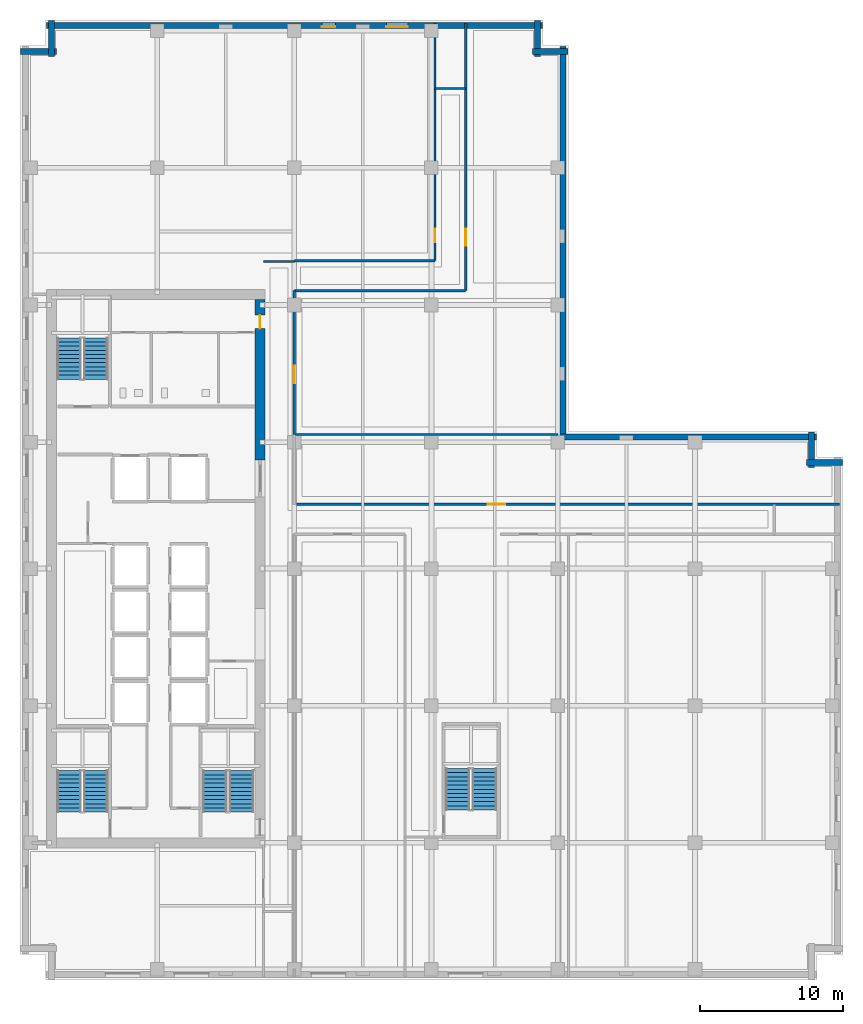
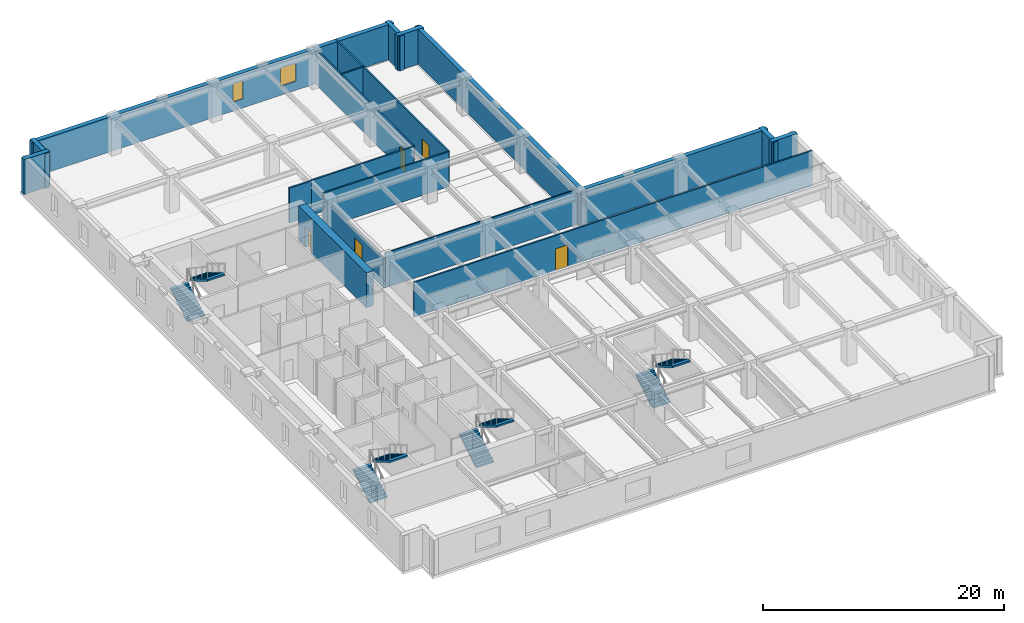
# One storey, part 7 of 14: 19 walls, 8 stair flights, 5 doors, 2 windows, 7 openings, 4 elements without a shape of their own.
"""IFC4 building model written with IfcOpenShell, lengths in metres."""

from ifc_helpers import new_model, si_unit, direction, frame, frame_2d, origin, place, context, subcontext, project, spatial, polyline, rectangle, outline, extrude, material, layer, layer_set, type_object, element, fill, aggregate, save


model = new_model("IFC4")

# Units and contexts
model_context = context("Model", 3, precision=1e-05, world=origin(), true_north=direction((0.0, 1.0)))
body_context = subcontext(model_context, "Body", "Model", "MODEL_VIEW")
ifc_project = project(units=[si_unit("LENGTHUNIT", "METRE"), si_unit("AREAUNIT", "SQUARE_METRE"), si_unit("VOLUMEUNIT", "CUBIC_METRE"), si_unit("PLANEANGLEUNIT", "RADIAN"), si_unit("MASSUNIT", "GRAM", prefix="KILO")], contexts=[model_context])

# Site, building, storey
site_placement = place(None, origin())
site = spatial("IfcSite", under=ifc_project, at=site_placement, CompositionType="ELEMENT")
building_placement = place(site_placement, origin())
building = spatial("IfcBuilding", under=site, at=building_placement, Name="Norrvale University Quadrangle", CompositionType="ELEMENT")
storey_placement = place(building_placement, frame((0.0, 0.0, 156.0)))
storey = spatial("IfcBuildingStorey", under=building, at=storey_placement, Name="L39", CompositionType="ELEMENT", Elevation=156.0)

# Walls
ifc_material_1 = material(Name="Buff Norman Clay Brick Masonry", Category="masonry")
ifc_layer_1 = layer(ifc_material_1, 0.419921875, Name="Buff Norman Clay Brick Masonry")
ifc_layer_set_1 = layer_set([ifc_layer_1], Name="Buff Norman Clay Brick Masonry")
wall_type_1 = type_object("IfcWallType", Name="Wall Buff Brick 420", PredefinedType="SOLIDWALL", material=ifc_layer_set_1)
for number, where, z_axis, x_axis, name in (
    (1, (57.56005859375, 36.2099609375, 0.0), (0.0, 0.0, 1.0), (-1.0, 0.0, 0.0), "Exterior Brick Facade Wall L39-05.1"),
    (2, (55.409912109375, 35.860107421875, 0.0), (0.0, 0.0, 1.0), (0.0, 1.0, 0.0), "Exterior Brick Facade Wall L39-06.1"),
):
    element("IfcWall", number, at=place(storey_placement, frame(where, z_axis=z_axis, x_axis=x_axis)), inside=storey, type_object=wall_type_1, Name=name, PredefinedType="SOLIDWALL", context=body_context, shape_type="SweptSolid", body=[
        extrude(rectangle(XDim=2.5, YDim=0.419921875, at=frame_2d((1.25, 0.0))), origin(), (0.0, 0.0, 1.0), 3.5400390625),
    ])
wall_1_placement = place(storey_placement, frame((55.760009765625, 38.010009765625, 0.0), z_axis=(0.0, 0.0, 1.0), x_axis=(-1.0, 0.0, 0.0)))
element("IfcWall", 3, at=wall_1_placement, inside=storey, type_object=wall_type_1, Name="Exterior Brick Facade Wall L39-07.1", PredefinedType="SOLIDWALL", context=body_context, shape_type="SweptSolid", body=[
    extrude(rectangle(XDim=18.10009765625, YDim=0.419921875, at=frame_2d((9.050048828125, 0.0))), origin(), (0.0, 0.0, 1.0), 3.5400390625),
])
wall_2_placement = place(storey_placement, frame((38.010009765625, 37.659912109375, 0.0), z_axis=(0.0, 0.0, 1.0), x_axis=(0.0, 1.0, 0.0)))
element("IfcWall", 4, at=wall_2_placement, inside=storey, type_object=wall_type_1, Name="Exterior Brick Facade Wall L39-08.1", PredefinedType="SOLIDWALL", context=body_context, shape_type="SweptSolid", body=[
    extrude(rectangle(XDim=27.7001953125, YDim=0.419921875, at=frame_2d((13.85009765625, 0.0))), origin(), (0.0, 0.0, 1.0), 3.5400390625),
])
for number, where, z_axis, x_axis, name in (
    (5, (38.360107421875, 65.010009765625, 0.0), (0.0, 0.0, 1.0), (-1.0, 0.0, 0.0), "Exterior Brick Facade Wall L39-09.1"),
    (6, (36.2099609375, 64.659912109375, 0.0), (0.0, 0.0, 1.0), (0.0, 1.0, 0.0), "Exterior Brick Facade Wall L39-10.1"),
):
    element("IfcWall", number, at=place(storey_placement, frame(where, z_axis=z_axis, x_axis=x_axis)), inside=storey, type_object=wall_type_1, Name=name, PredefinedType="SOLIDWALL", context=body_context, shape_type="SweptSolid", body=[
        extrude(rectangle(XDim=2.5, YDim=0.419921875, at=frame_2d((1.25, 0.0))), origin(), (0.0, 0.0, 1.0), 3.5400390625),
    ])

# Wall, openings, windows
wall_3_placement = place(storey_placement, frame((36.56005859375, 66.81005859375, 0.0), z_axis=(0.0, 0.0, 1.0), x_axis=(-1.0, 0.0, 0.0)))
wall_3 = element("IfcWall", 7, at=wall_3_placement, inside=storey, type_object=wall_type_1, Name="Exterior Brick Facade Wall L39-11.1", PredefinedType="SOLIDWALL", context=body_context, shape_type="SweptSolid", body=[
    extrude(rectangle(XDim=34.719970703125, YDim=0.419921875, at=frame_2d((17.35986328125, 0.0))), origin(), (0.0, 0.0, 1.0), 3.5400390625),
])
opening_1_placement = place(wall_3_placement, frame((9.409912109375, 0.0, 0.89990234375)))
opening_1 = element("IfcOpeningElement", 8, at=opening_1_placement, cuts=wall_3, Name="Opening W03", PredefinedType="OPENING", context=body_context, shape_type="SweptSolid", body=[
    extrude(rectangle(XDim=1.5, YDim=1.85009765625, at=frame_2d((0.75, 0.925048828125))), frame((0.0, 0.221923828125, 0.0), z_axis=(0.0, -1.0, 0.0), x_axis=(1.0, 0.0, 0.0)), (0.0, 0.0, 1.0), 0.44384765625),
])
opening_2_placement = place(wall_3_placement, frame((14.485107421875, 0.0, 0.89990234375)))
opening_2 = element("IfcOpeningElement", 9, at=opening_2_placement, cuts=wall_3, Name="Opening W04", PredefinedType="OPENING", context=body_context, shape_type="SweptSolid", body=[
    extrude(rectangle(XDim=0.949951171875, YDim=1.85009765625, at=frame_2d((0.47509765625, 0.925048828125))), frame((0.0, 0.221923828125, 0.0), z_axis=(0.0, -1.0, 0.0), x_axis=(1.0, 0.0, 0.0)), (0.0, 0.0, 1.0), 0.44384765625),
])
ifc_material_2 = material(Name="Triple Low-E Argon Glazing", Category="glass")
window_type_1 = type_object("IfcWindowType", Name="Window Narrow Pier 950x2300", PartitioningType="SINGLE_PANEL", PredefinedType="WINDOW", material=ifc_material_2)
window_1_placement = place(opening_2_placement, origin())
window_1 = element("IfcWindow", 10, at=window_1_placement, inside=storey, type_object=window_type_1, Name="Window Narrow Pier 950x2300 WIN-L39-E11-1-02", OverallHeight=1.85009765625, OverallWidth=0.949951171875, PartitioningType="SINGLE_PANEL", PredefinedType="WINDOW", context=body_context, shape_type="SweptSolid", body=[
    extrude(rectangle(XDim=0.949951171875, YDim=1.85009765625, at=frame_2d((0.47509765625, 0.925048828125))), frame((0.0, 0.110107421875, 0.0), z_axis=(0.0, -1.0, 0.0), x_axis=(1.0, 0.0, 0.0)), (0.0, 0.0, 1.0), 0.06005859375),
])
fill(opening_2, window_1)
window_type_2 = type_object("IfcWindowType", Name="Window Studio 1500x2300", PartitioningType="DOUBLE_PANEL_VERTICAL", PredefinedType="WINDOW", material=ifc_material_2)
window_2_placement = place(opening_1_placement, origin())
window_2 = element("IfcWindow", 11, at=window_2_placement, inside=storey, type_object=window_type_2, Name="Window Studio 1500x2300 WIN-L39-E11-1-01", OverallHeight=1.85009765625, OverallWidth=1.5, PartitioningType="DOUBLE_PANEL_VERTICAL", PredefinedType="WINDOW", context=body_context, shape_type="SweptSolid", body=[
    extrude(rectangle(XDim=1.5, YDim=1.85009765625, at=frame_2d((0.75, 0.925048828125))), frame((0.0, 0.110107421875, 0.0), z_axis=(0.0, -1.0, 0.0), x_axis=(1.0, 0.0, 0.0)), (0.0, 0.0, 1.0), 0.06005859375),
])
fill(opening_1, window_2)

# Walls
for number, where, z_axis, x_axis, name in (
    (12, (2.18994140625, 67.159912109375, 0.0), (0.0, 0.0, 1.0), (0.0, -1.0, 0.0), "Exterior Brick Facade Wall L39-12.1"),
    (13, (2.5400390625, 65.010009765625, 0.0), (0.0, 0.0, 1.0), (-1.0, 0.0, 0.0), "Exterior Brick Facade Wall L39-13.1"),
):
    element("IfcWall", number, at=place(storey_placement, frame(where, z_axis=z_axis, x_axis=x_axis)), inside=storey, type_object=wall_type_1, Name=name, PredefinedType="SOLIDWALL", context=body_context, shape_type="SweptSolid", body=[
        extrude(rectangle(XDim=2.5, YDim=0.419921875, at=frame_2d((1.25, 0.0))), origin(), (0.0, 0.0, 1.0), 3.5400390625),
    ])

# Wall, opening, door
ifc_material_3 = material(Name="Concrete C60/75", Category="concrete")
ifc_layer_2 = layer(ifc_material_3, 0.699951171875, Name="Concrete C60/75")
ifc_layer_set_2 = layer_set([ifc_layer_2], Name="Concrete C60/75")
wall_type_2 = type_object("IfcWallType", Name="Wall Core 700", PredefinedType="SHEAR", material=ifc_layer_set_2)
wall_4_placement = place(storey_placement, frame((16.800048828125, 36.39990234375, 0.0), z_axis=(0.0, 0.0, 1.0), x_axis=(0.0, 1.0, 0.0)))
wall_4 = element("IfcWall", 14, at=wall_4_placement, inside=storey, type_object=wall_type_2, Name="Tower Core Shear Wall L39-E3", PredefinedType="SHEAR", context=body_context, shape_type="SweptSolid", body=[
    extrude(rectangle(XDim=11.25, YDim=0.699951171875, at=frame_2d((5.625, 0.0))), origin(), (0.0, 0.0, 1.0), 3.5400390625),
])
opening_3_placement = place(wall_4_placement, frame((9.199951171875, 0.0, 0.0)))
opening_3 = element("IfcOpeningElement", 15, at=opening_3_placement, cuts=wall_4, Name="Opening D07", PredefinedType="OPENING", context=body_context, shape_type="SweptSolid", body=[
    extrude(rectangle(XDim=0.949951171875, YDim=2.14990234375, at=frame_2d((0.47509765625, 1.074951171875))), frame((0.0, 0.362060546875, 0.0), z_axis=(0.0, -1.0, 0.0), x_axis=(1.0, 0.0, 0.0)), (0.0, 0.0, 1.0), 0.723876953125),
])
ifc_material_4 = material(Name="Solid-Core Maple Door", Category="wood")
door_type_1 = type_object("IfcDoorType", Name="Door Office 950x2150", OperationType="NOTDEFINED", PredefinedType="DOOR", material=ifc_material_4)
door_1_placement = place(opening_3_placement, origin())
door_1 = element("IfcDoor", 16, at=door_1_placement, inside=storey, type_object=door_type_1, Name="Door Office 950x2150 DR-L39-NECORR", OperationType="SINGLE_SWING_RIGHT", OverallHeight=2.14990234375, OverallWidth=0.949951171875, PredefinedType="DOOR", context=body_context, shape_type="SweptSolid", body=[
    extrude(rectangle(XDim=0.949951171875, YDim=2.14990234375, at=frame_2d((0.47509765625, 1.074951171875))), frame((0.0, 0.02490234375, 0.0), z_axis=(0.0, -1.0, 0.0), x_axis=(1.0, 0.0, 0.0)), (0.0, 0.0, 1.0), 0.050048828125),
])
fill(opening_3, door_1)

# Walls
ifc_material_5 = material(Name="Standard Academic Gypsum Partition")
ifc_layer_3 = layer(ifc_material_5, 0.125, Name="Standard Academic Gypsum Partition")
ifc_layer_set_3 = layer_set([ifc_layer_3], Name="Standard Academic Gypsum Partition")
wall_type_3 = type_object("IfcWallType", Name="Wall Gypsum Academic 125", PredefinedType="PARTITIONING", material=ifc_layer_set_3)
wall_5_placement = place(storey_placement, frame((19.280029296875, 38.179931640625, 0.0), z_axis=(0.0, 0.0, 1.0), x_axis=(1.0, 0.0, 0.0)))
element("IfcWall", 17, at=wall_5_placement, inside=storey, type_object=wall_type_3, Name="Interior Partition WL-L39-ME-N", PredefinedType="PARTITIONING", context=body_context, shape_type="SweptSolid", body=[
    extrude(rectangle(XDim=18.369873046875, YDim=0.125, at=frame_2d((9.18505859375, 0.0))), origin(), (0.0, 0.0, 1.0), 3.5400390625),
])
ifc_material_6 = material(Name="Fire-Rated Gypsum Stud Partition")
ifc_layer_4 = layer(ifc_material_6, 0.14990234375, Name="Fire-Rated Gypsum Stud Partition")
ifc_layer_set_4 = layer_set([ifc_layer_4], Name="Fire-Rated Gypsum Stud Partition")
wall_type_4 = type_object("IfcWallType", Name="Wall Gypsum Corridor 150", PredefinedType="PARTITIONING", material=ifc_layer_set_4)
wall_6_placement = place(storey_placement, frame((17.050048828125, 50.300048828125, 0.0), z_axis=(0.0, 0.0, 1.0), x_axis=(1.0, 0.0, 0.0)))
element("IfcWall", 18, at=wall_6_placement, inside=storey, type_object=wall_type_4, Name="Interior Partition WL-L39-CSP-N", PredefinedType="PARTITIONING", context=body_context, shape_type="SweptSolid", body=[
    extrude(rectangle(XDim=2.14990234375, YDim=0.14990234375, at=frame_2d((1.074951171875, 0.0))), origin(), (0.0, 0.0, 1.0), 3.5400390625),
])

# Wall, opening, door
wall_7_placement = place(storey_placement, frame((19.199951171875, 33.300048828125, 0.0), z_axis=(0.0, 0.0, 1.0), x_axis=(1.0, 0.0, 0.0)))
wall_7 = element("IfcWall", 19, at=wall_7_placement, inside=storey, type_object=wall_type_4, Name="Interior Partition WL-L39-MECW", PredefinedType="PARTITIONING", context=body_context, shape_type="SweptSolid", body=[
    extrude(rectangle(XDim=38.179931640625, YDim=0.14990234375, at=frame_2d((19.08984375, 0.0))), origin(), (0.0, 0.0, 1.0), 3.5400390625),
])
opening_4_placement = place(wall_7_placement, frame((13.550048828125, 0.0, 0.0)))
opening_4 = element("IfcOpeningElement", 20, at=opening_4_placement, cuts=wall_7, Name="Opening D05", PredefinedType="OPENING", context=body_context, shape_type="SweptSolid", body=[
    extrude(rectangle(XDim=1.199951171875, YDim=2.199951171875, at=frame_2d((0.60009765625, 1.10009765625))), frame((0.0, 0.0869140625, 0.0), z_axis=(0.0, -1.0, 0.0), x_axis=(1.0, 0.0, 0.0)), (0.0, 0.0, 1.0), 0.173828125),
])
ifc_material_7 = material(Name="Acoustic Oak Classroom Door", Category="wood")
door_type_2 = type_object("IfcDoorType", Name="Door Classroom 1200x2200", OperationType="NOTDEFINED", PredefinedType="DOOR", material=ifc_material_7)
door_2_placement = place(opening_4_placement, origin())
door_2 = element("IfcDoor", 21, at=door_2_placement, inside=storey, type_object=door_type_2, Name="Door Classroom 1200x2200 DR-L39-ME01", OperationType="SINGLE_SWING_LEFT", OverallHeight=2.199951171875, OverallWidth=1.199951171875, PredefinedType="DOOR", context=body_context, shape_type="SweptSolid", body=[
    extrude(rectangle(XDim=1.199951171875, YDim=2.199951171875, at=frame_2d((0.60009765625, 1.10009765625))), frame((0.0, 0.02490234375, 0.0), z_axis=(0.0, -1.0, 0.0), x_axis=(1.0, 0.0, 0.0)), (0.0, 0.0, 1.0), 0.050048828125),
])
fill(opening_4, door_2)

wall_8_placement = place(storey_placement, frame((19.199951171875, 38.179931640625, 0.0), z_axis=(0.0, 0.0, 1.0), x_axis=(0.0, 1.0, 0.0)))
wall_8 = element("IfcWall", 22, at=wall_8_placement, inside=storey, type_object=wall_type_4, Name="Interior Partition WL-L39-MNECW", PredefinedType="PARTITIONING", context=body_context, shape_type="SweptSolid", body=[
    extrude(rectangle(XDim=10.070068359375, YDim=0.14990234375, at=frame_2d((5.03515625, 0.0))), origin(), (0.0, 0.0, 1.0), 2.924072265625),
])
opening_5_placement = place(wall_8_placement, frame((3.60009765625, 0.0, 0.0)))
opening_5 = element("IfcOpeningElement", 23, at=opening_5_placement, cuts=wall_8, Name="Opening D05", PredefinedType="OPENING", context=body_context, shape_type="SweptSolid", body=[
    extrude(rectangle(XDim=1.199951171875, YDim=2.199951171875, at=frame_2d((0.60009765625, 1.10009765625))), frame((0.0, 0.0869140625, 0.0), z_axis=(0.0, -1.0, 0.0), x_axis=(1.0, 0.0, 0.0)), (0.0, 0.0, 1.0), 0.173828125),
])
door_3_placement = place(opening_5_placement, origin())
door_3 = element("IfcDoor", 24, at=door_3_placement, inside=storey, type_object=door_type_2, Name="Door Classroom 1200x2200 DR-L39-MNE01", OperationType="SINGLE_SWING_RIGHT", OverallHeight=2.199951171875, OverallWidth=1.199951171875, PredefinedType="DOOR", context=body_context, shape_type="SweptSolid", body=[
    extrude(rectangle(XDim=1.199951171875, YDim=2.199951171875, at=frame_2d((0.60009765625, 1.10009765625))), frame((0.0, 0.02490234375, 0.0), z_axis=(0.0, -1.0, 0.0), x_axis=(1.0, 0.0, 0.0)), (0.0, 0.0, 1.0), 0.050048828125),
])
fill(opening_5, door_3)

# Walls
wall_9_placement = place(storey_placement, frame((19.199951171875, 48.25, 0.0), z_axis=(0.0, 0.0, 1.0), x_axis=(1.0, 0.0, 0.0)))
element("IfcWall", 25, at=wall_9_placement, inside=storey, type_object=wall_type_4, Name="Interior Partition WL-L39-JOGS", PredefinedType="PARTITIONING", context=body_context, shape_type="SweptSolid", body=[
    extrude(rectangle(XDim=12.0, YDim=0.14990234375, at=frame_2d((6.0, 0.0))), origin(), (0.0, 0.0, 1.0), 3.5400390625),
])
wall_10_placement = place(storey_placement, frame((19.199951171875, 50.35009765625, 0.0), z_axis=(0.0, 0.0, 1.0), x_axis=(1.0, 0.0, 0.0)))
element("IfcWall", 26, at=wall_10_placement, inside=storey, type_object=wall_type_4, Name="Interior Partition WL-L39-JOGN", PredefinedType="PARTITIONING", context=body_context, shape_type="SweptSolid", body=[
    extrude(rectangle(XDim=9.85009765625, YDim=0.14990234375, at=frame_2d((4.925048828125, 0.0))), origin(), (0.0, 0.0, 1.0), 3.5400390625),
])
wall_11_placement = place(storey_placement, frame((29.050048828125, 62.39990234375, 0.0), z_axis=(0.0, 0.0, 1.0), x_axis=(1.0, 0.0, 0.0)))
element("IfcWall", 27, at=wall_11_placement, inside=storey, type_object=wall_type_4, Name="Interior Partition WL-L39-JOGEND", PredefinedType="PARTITIONING", context=body_context, shape_type="SweptSolid", body=[
    extrude(rectangle(XDim=2.14990234375, YDim=0.14990234375, at=frame_2d((1.074951171875, 0.0))), origin(), (0.0, 0.0, 1.0), 3.5400390625),
])

# Wall, opening, door
wall_12_placement = place(storey_placement, frame((31.199951171875, 48.25, 0.0), z_axis=(0.0, 0.0, 1.0), x_axis=(0.0, 1.0, 0.0)))
wall_12 = element("IfcWall", 28, at=wall_12_placement, inside=storey, type_object=wall_type_4, Name="Interior Partition WL-L39-NECW", PredefinedType="PARTITIONING", context=body_context, shape_type="SweptSolid", body=[
    extrude(rectangle(XDim=18.72998046875, YDim=0.14990234375, at=frame_2d((9.364990234375, 0.0))), origin(), (0.0, 0.0, 1.0), 3.5400390625),
])
opening_6_placement = place(wall_12_placement, frame((3.14990234375, 0.0, 0.0)))
opening_6 = element("IfcOpeningElement", 29, at=opening_6_placement, cuts=wall_12, Name="Opening D05", PredefinedType="OPENING", context=body_context, shape_type="SweptSolid", body=[
    extrude(rectangle(XDim=1.199951171875, YDim=2.199951171875, at=frame_2d((0.60009765625, 1.10009765625))), frame((0.0, 0.0869140625, 0.0), z_axis=(0.0, -1.0, 0.0), x_axis=(1.0, 0.0, 0.0)), (0.0, 0.0, 1.0), 0.173828125),
])
door_4_placement = place(opening_6_placement, origin())
door_4 = element("IfcDoor", 30, at=door_4_placement, inside=storey, type_object=door_type_2, Name="Door Classroom 1200x2200 DR-L39-NE01", OperationType="SINGLE_SWING_RIGHT", OverallHeight=2.199951171875, OverallWidth=1.199951171875, PredefinedType="DOOR", context=body_context, shape_type="SweptSolid", body=[
    extrude(rectangle(XDim=1.199951171875, YDim=2.199951171875, at=frame_2d((0.60009765625, 1.10009765625))), frame((0.0, 0.02490234375, 0.0), z_axis=(0.0, -1.0, 0.0), x_axis=(1.0, 0.0, 0.0)), (0.0, 0.0, 1.0), 0.050048828125),
])
fill(opening_6, door_4)

wall_13_placement = place(storey_placement, frame((29.050048828125, 50.35009765625, 0.0), z_axis=(0.0, 0.0, 1.0), x_axis=(0.0, 1.0, 0.0)))
wall_13 = element("IfcWall", 31, at=wall_13_placement, inside=storey, type_object=wall_type_4, Name="Interior Partition WL-L39-NWCW", PredefinedType="PARTITIONING", context=body_context, shape_type="SweptSolid", body=[
    extrude(rectangle(XDim=16.6298828125, YDim=0.14990234375, at=frame_2d((8.31494140625, 0.0))), origin(), (0.0, 0.0, 1.0), 3.5400390625),
])
opening_7_placement = place(wall_13_placement, frame((1.300048828125, 0.0, 0.0)))
opening_7 = element("IfcOpeningElement", 32, at=opening_7_placement, cuts=wall_13, Name="Opening D07", PredefinedType="OPENING", context=body_context, shape_type="SweptSolid", body=[
    extrude(rectangle(XDim=0.949951171875, YDim=2.14990234375, at=frame_2d((0.47509765625, 1.074951171875))), frame((0.0, 0.0869140625, 0.0), z_axis=(0.0, -1.0, 0.0), x_axis=(1.0, 0.0, 0.0)), (0.0, 0.0, 1.0), 0.173828125),
])
door_5_placement = place(opening_7_placement, origin())
door_5 = element("IfcDoor", 33, at=door_5_placement, inside=storey, type_object=door_type_1, Name="Door Office 950x2150 DR-L39-NW01", OperationType="SINGLE_SWING_RIGHT", OverallHeight=2.14990234375, OverallWidth=0.949951171875, PredefinedType="DOOR", context=body_context, shape_type="SweptSolid", body=[
    extrude(rectangle(XDim=0.949951171875, YDim=2.14990234375, at=frame_2d((0.47509765625, 1.074951171875))), frame((0.0, 0.02490234375, 0.0), z_axis=(0.0, -1.0, 0.0), x_axis=(1.0, 0.0, 0.0)), (0.0, 0.0, 1.0), 0.050048828125),
])
fill(opening_7, door_5)

# Stair, stair flights
ifc_material_8 = material(Name="Concrete C40/50", Category="concrete")
stair_type = type_object("IfcStairType", Name="Stair Tower Typ 3800", PredefinedType="TWO_STRAIGHT_RUN_STAIR", material=ifc_material_8)
stair_1_placement = place(storey_placement, origin())
stair_1 = element("IfcStair", 34, at=stair_1_placement, inside=storey, type_object=stair_type, Name="Exit Stair ST-01 L39", PredefinedType="TWO_STRAIGHT_RUN_STAIR")
stair_flight_type = type_object("IfcStairFlightType", Name="Flight Typ 1500", PredefinedType="STRAIGHT", material=ifc_material_8)
stair_flight_1_placement = place(storey_placement, frame((3.429931640625, 11.75, 0.0), z_axis=(0.0, 0.0, 1.0), x_axis=(0.0, 1.0, 0.0)))
stair_flight_1 = element("IfcStairFlight", 35, at=stair_flight_1_placement, type_object=stair_flight_type, Name="Exit Stair ST-01 L39 Lower Flight", NumberOfRisers=11, NumberOfTreads=10, PredefinedType="STRAIGHT", RiserHeight=0.172727, TreadLength=0.29, context=body_context, shape_type="SweptSolid", body=[
    extrude(outline(polyline([(0.0, 0.0), (0.0, 0.172607421875), (0.2900390625, 0.172607421875), (0.2900390625, 0.345458984375), (0.580078125, 0.345458984375), (0.580078125, 0.51806640625), (0.8701171875, 0.51806640625), (0.8701171875, 0.69091796875), (1.159912109375, 0.69091796875), (1.159912109375, 0.863525390625), (1.449951171875, 0.863525390625), (1.449951171875, 1.036376953125), (1.739990234375, 1.036376953125), (1.739990234375, 1.208984375), (2.030029296875, 1.208984375), (2.030029296875, 1.3818359375), (2.320068359375, 1.3818359375), (2.320068359375, 1.554443359375), (2.610107421875, 1.554443359375), (2.610107421875, 1.727294921875), (2.89990234375, 1.727294921875), (2.89990234375, 1.89990234375), (2.89990234375, 1.552734375), (0.29296875, 0.0), (0.0, 0.0)])), frame((0.0, 0.83984375, 0.0), z_axis=(0.0, -1.0, 0.0), x_axis=(1.0, 0.0, 0.0)), (0.0, 0.0, 1.0), 1.679931640625),
])
stair_flight_2_placement = place(storey_placement, frame((5.320068359375, 14.64990234375, 1.89990234375), z_axis=(0.0, 0.0, 1.0), x_axis=(0.0, -1.0, 0.0)))
stair_flight_2 = element("IfcStairFlight", 36, at=stair_flight_2_placement, type_object=stair_flight_type, Name="Exit Stair ST-01 L39 Upper Flight", NumberOfRisers=11, NumberOfTreads=10, PredefinedType="STRAIGHT", RiserHeight=0.172727, TreadLength=0.29, context=body_context, shape_type="SweptSolid", body=[
    extrude(outline(polyline([(0.0, 0.0), (0.0, 0.172607421875), (0.2900390625, 0.172607421875), (0.2900390625, 0.345458984375), (0.580078125, 0.345458984375), (0.580078125, 0.51806640625), (0.8701171875, 0.51806640625), (0.8701171875, 0.69091796875), (1.159912109375, 0.69091796875), (1.159912109375, 0.863525390625), (1.449951171875, 0.863525390625), (1.449951171875, 1.036376953125), (1.739990234375, 1.036376953125), (1.739990234375, 1.208984375), (2.030029296875, 1.208984375), (2.030029296875, 1.3818359375), (2.320068359375, 1.3818359375), (2.320068359375, 1.554443359375), (2.610107421875, 1.554443359375), (2.610107421875, 1.727294921875), (2.89990234375, 1.727294921875), (2.89990234375, 1.89990234375), (2.89990234375, 1.552734375), (0.29296875, 0.0), (0.0, 0.0)])), frame((0.0, 0.83984375, 0.0), z_axis=(0.0, -1.0, 0.0), x_axis=(1.0, 0.0, 0.0)), (0.0, 0.0, 1.0), 1.679931640625),
])
aggregate(stair_1, [stair_flight_1, stair_flight_2])

stair_2_placement = place(storey_placement, origin())
stair_2 = element("IfcStair", 37, at=stair_2_placement, inside=storey, type_object=stair_type, Name="Exit Stair ST-02 L39", PredefinedType="TWO_STRAIGHT_RUN_STAIR")
stair_flight_3_placement = place(storey_placement, frame((3.429931640625, 42.050048828125, 0.0), z_axis=(0.0, 0.0, 1.0), x_axis=(0.0, 1.0, 0.0)))
stair_flight_3 = element("IfcStairFlight", 38, at=stair_flight_3_placement, type_object=stair_flight_type, Name="Exit Stair ST-02 L39 Lower Flight", NumberOfRisers=11, NumberOfTreads=10, PredefinedType="STRAIGHT", RiserHeight=0.172727, TreadLength=0.29, context=body_context, shape_type="SweptSolid", body=[
    extrude(outline(polyline([(0.0, 0.0), (0.0, 0.172607421875), (0.2900390625, 0.172607421875), (0.2900390625, 0.345458984375), (0.580078125, 0.345458984375), (0.580078125, 0.51806640625), (0.8701171875, 0.51806640625), (0.8701171875, 0.69091796875), (1.159912109375, 0.69091796875), (1.159912109375, 0.863525390625), (1.449951171875, 0.863525390625), (1.449951171875, 1.036376953125), (1.739990234375, 1.036376953125), (1.739990234375, 1.208984375), (2.030029296875, 1.208984375), (2.030029296875, 1.3818359375), (2.320068359375, 1.3818359375), (2.320068359375, 1.554443359375), (2.610107421875, 1.554443359375), (2.610107421875, 1.727294921875), (2.89990234375, 1.727294921875), (2.89990234375, 1.89990234375), (2.89990234375, 1.552734375), (0.29296875, 0.0), (0.0, 0.0)])), frame((0.0, 0.83984375, 0.0), z_axis=(0.0, -1.0, 0.0), x_axis=(1.0, 0.0, 0.0)), (0.0, 0.0, 1.0), 1.679931640625),
])
stair_flight_4_placement = place(storey_placement, frame((5.320068359375, 44.949951171875, 1.89990234375), z_axis=(0.0, 0.0, 1.0), x_axis=(0.0, -1.0, 0.0)))
stair_flight_4 = element("IfcStairFlight", 39, at=stair_flight_4_placement, type_object=stair_flight_type, Name="Exit Stair ST-02 L39 Upper Flight", NumberOfRisers=11, NumberOfTreads=10, PredefinedType="STRAIGHT", RiserHeight=0.172727, TreadLength=0.29, context=body_context, shape_type="SweptSolid", body=[
    extrude(outline(polyline([(0.0, 0.0), (0.0, 0.172607421875), (0.2900390625, 0.172607421875), (0.2900390625, 0.345458984375), (0.580078125, 0.345458984375), (0.580078125, 0.51806640625), (0.8701171875, 0.51806640625), (0.8701171875, 0.69091796875), (1.159912109375, 0.69091796875), (1.159912109375, 0.863525390625), (1.449951171875, 0.863525390625), (1.449951171875, 1.036376953125), (1.739990234375, 1.036376953125), (1.739990234375, 1.208984375), (2.030029296875, 1.208984375), (2.030029296875, 1.3818359375), (2.320068359375, 1.3818359375), (2.320068359375, 1.554443359375), (2.610107421875, 1.554443359375), (2.610107421875, 1.727294921875), (2.89990234375, 1.727294921875), (2.89990234375, 1.89990234375), (2.89990234375, 1.552734375), (0.29296875, 0.0), (0.0, 0.0)])), frame((0.0, 0.83984375, 0.0), z_axis=(0.0, -1.0, 0.0), x_axis=(1.0, 0.0, 0.0)), (0.0, 0.0, 1.0), 1.679931640625),
])
aggregate(stair_2, [stair_flight_3, stair_flight_4])

stair_3_placement = place(storey_placement, origin())
stair_3 = element("IfcStair", 40, at=stair_3_placement, inside=storey, type_object=stair_type, Name="Exit Stair ST-03 L39", PredefinedType="TWO_STRAIGHT_RUN_STAIR")
stair_flight_5_placement = place(storey_placement, frame((13.6298828125, 11.75, 0.0), z_axis=(0.0, 0.0, 1.0), x_axis=(0.0, 1.0, 0.0)))
stair_flight_5 = element("IfcStairFlight", 41, at=stair_flight_5_placement, type_object=stair_flight_type, Name="Exit Stair ST-03 L39 Lower Flight", NumberOfRisers=11, NumberOfTreads=10, PredefinedType="STRAIGHT", RiserHeight=0.172727, TreadLength=0.29, context=body_context, shape_type="SweptSolid", body=[
    extrude(outline(polyline([(0.0, 0.0), (0.0, 0.172607421875), (0.2900390625, 0.172607421875), (0.2900390625, 0.345458984375), (0.580078125, 0.345458984375), (0.580078125, 0.51806640625), (0.8701171875, 0.51806640625), (0.8701171875, 0.69091796875), (1.159912109375, 0.69091796875), (1.159912109375, 0.863525390625), (1.449951171875, 0.863525390625), (1.449951171875, 1.036376953125), (1.739990234375, 1.036376953125), (1.739990234375, 1.208984375), (2.030029296875, 1.208984375), (2.030029296875, 1.3818359375), (2.320068359375, 1.3818359375), (2.320068359375, 1.554443359375), (2.610107421875, 1.554443359375), (2.610107421875, 1.727294921875), (2.89990234375, 1.727294921875), (2.89990234375, 1.89990234375), (2.89990234375, 1.552734375), (0.29296875, 0.0), (0.0, 0.0)])), frame((0.0, 0.83984375, 0.0), z_axis=(0.0, -1.0, 0.0), x_axis=(1.0, 0.0, 0.0)), (0.0, 0.0, 1.0), 1.679931640625),
])
stair_flight_6_placement = place(storey_placement, frame((15.52001953125, 14.64990234375, 1.89990234375), z_axis=(0.0, 0.0, 1.0), x_axis=(0.0, -1.0, 0.0)))
stair_flight_6 = element("IfcStairFlight", 42, at=stair_flight_6_placement, type_object=stair_flight_type, Name="Exit Stair ST-03 L39 Upper Flight", NumberOfRisers=11, NumberOfTreads=10, PredefinedType="STRAIGHT", RiserHeight=0.172727, TreadLength=0.29, context=body_context, shape_type="SweptSolid", body=[
    extrude(outline(polyline([(0.0, 0.0), (0.0, 0.172607421875), (0.2900390625, 0.172607421875), (0.2900390625, 0.345458984375), (0.580078125, 0.345458984375), (0.580078125, 0.51806640625), (0.8701171875, 0.51806640625), (0.8701171875, 0.69091796875), (1.159912109375, 0.69091796875), (1.159912109375, 0.863525390625), (1.449951171875, 0.863525390625), (1.449951171875, 1.036376953125), (1.739990234375, 1.036376953125), (1.739990234375, 1.208984375), (2.030029296875, 1.208984375), (2.030029296875, 1.3818359375), (2.320068359375, 1.3818359375), (2.320068359375, 1.554443359375), (2.610107421875, 1.554443359375), (2.610107421875, 1.727294921875), (2.89990234375, 1.727294921875), (2.89990234375, 1.89990234375), (2.89990234375, 1.552734375), (0.29296875, 0.0), (0.0, 0.0)])), frame((0.0, 0.83984375, 0.0), z_axis=(0.0, -1.0, 0.0), x_axis=(1.0, 0.0, 0.0)), (0.0, 0.0, 1.0), 1.679931640625),
])
aggregate(stair_3, [stair_flight_5, stair_flight_6])

stair_4_placement = place(storey_placement, origin())
stair_4 = element("IfcStair", 43, at=stair_4_placement, inside=storey, type_object=stair_type, Name="Exit Stair ST-04 L39", PredefinedType="TWO_STRAIGHT_RUN_STAIR")
stair_flight_7_placement = place(storey_placement, frame((30.6298828125, 11.89990234375, 0.0), z_axis=(0.0, 0.0, 1.0), x_axis=(0.0, 1.0, 0.0)))
stair_flight_7 = element("IfcStairFlight", 44, at=stair_flight_7_placement, type_object=stair_flight_type, Name="Exit Stair ST-04 L39 Lower Flight", NumberOfRisers=11, NumberOfTreads=10, PredefinedType="STRAIGHT", RiserHeight=0.172727, TreadLength=0.29, context=body_context, shape_type="SweptSolid", body=[
    extrude(outline(polyline([(0.0, 0.0), (0.0, 0.172607421875), (0.2900390625, 0.172607421875), (0.2900390625, 0.345458984375), (0.580078125, 0.345458984375), (0.580078125, 0.51806640625), (0.8701171875, 0.51806640625), (0.8701171875, 0.69091796875), (1.159912109375, 0.69091796875), (1.159912109375, 0.863525390625), (1.449951171875, 0.863525390625), (1.449951171875, 1.036376953125), (1.739990234375, 1.036376953125), (1.739990234375, 1.208984375), (2.030029296875, 1.208984375), (2.030029296875, 1.3818359375), (2.320068359375, 1.3818359375), (2.320068359375, 1.554443359375), (2.610107421875, 1.554443359375), (2.610107421875, 1.727294921875), (2.89990234375, 1.727294921875), (2.89990234375, 1.89990234375), (2.89990234375, 1.552734375), (0.29296875, 0.0), (0.0, 0.0)])), frame((0.0, 0.83984375, 0.0), z_axis=(0.0, -1.0, 0.0), x_axis=(1.0, 0.0, 0.0)), (0.0, 0.0, 1.0), 1.679931640625),
])
stair_flight_8_placement = place(storey_placement, frame((32.52001953125, 14.800048828125, 1.89990234375), z_axis=(0.0, 0.0, 1.0), x_axis=(0.0, -1.0, 0.0)))
stair_flight_8 = element("IfcStairFlight", 45, at=stair_flight_8_placement, type_object=stair_flight_type, Name="Exit Stair ST-04 L39 Upper Flight", NumberOfRisers=11, NumberOfTreads=10, PredefinedType="STRAIGHT", RiserHeight=0.172727, TreadLength=0.29, context=body_context, shape_type="SweptSolid", body=[
    extrude(outline(polyline([(0.0, 0.0), (0.0, 0.172607421875), (0.2900390625, 0.172607421875), (0.2900390625, 0.345458984375), (0.580078125, 0.345458984375), (0.580078125, 0.51806640625), (0.8701171875, 0.51806640625), (0.8701171875, 0.69091796875), (1.159912109375, 0.69091796875), (1.159912109375, 0.863525390625), (1.449951171875, 0.863525390625), (1.449951171875, 1.036376953125), (1.739990234375, 1.036376953125), (1.739990234375, 1.208984375), (2.030029296875, 1.208984375), (2.030029296875, 1.3818359375), (2.320068359375, 1.3818359375), (2.320068359375, 1.554443359375), (2.610107421875, 1.554443359375), (2.610107421875, 1.727294921875), (2.89990234375, 1.727294921875), (2.89990234375, 1.89990234375), (2.89990234375, 1.552734375), (0.29296875, 0.0), (0.0, 0.0)])), frame((0.0, 0.83984375, 0.0), z_axis=(0.0, -1.0, 0.0), x_axis=(1.0, 0.0, 0.0)), (0.0, 0.0, 1.0), 1.679931640625),
])
aggregate(stair_4, [stair_flight_7, stair_flight_8])

save(model, "model.ifc")
